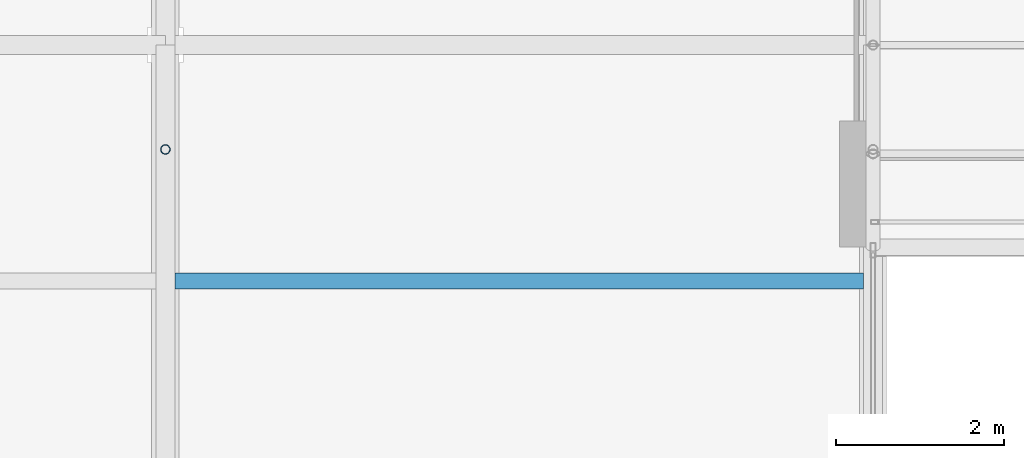
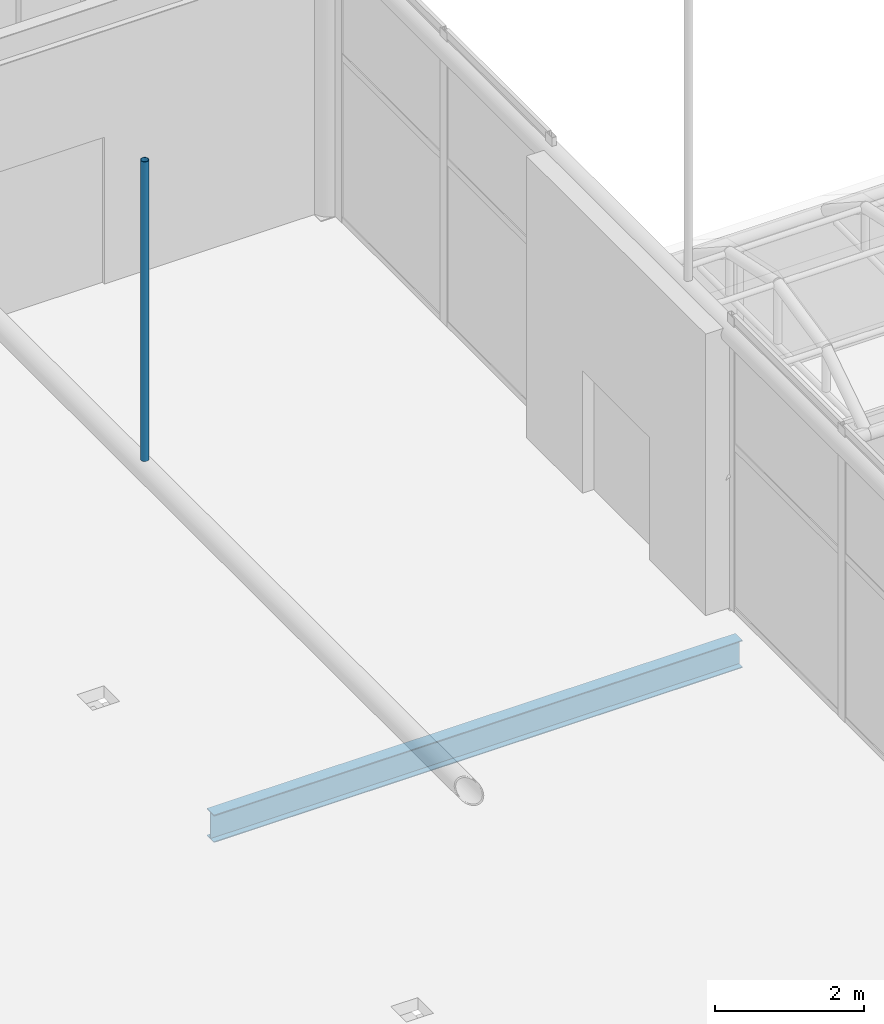
# One storey, part 89 of 167: 1 beam, 1 member.
"""IFC4 building model written with IfcOpenShell, lengths in metres."""

from ifc_helpers import new_model, si_unit, direction, frame, origin, origin_2d, place, context, subcontext, project, spatial, hollow_circle, i_section, extrude, material, material_profile, profile_set, type_object, element, save


model = new_model("IFC4")

# Units and contexts
model_context = context("Model", 3, precision=1e-05, world=origin(), true_north=direction((0.0, 1.0)))
body_context = subcontext(model_context, "Body", "Model", "MODEL_VIEW")
ifc_project = project(units=[si_unit("LENGTHUNIT", "METRE"), si_unit("AREAUNIT", "SQUARE_METRE"), si_unit("VOLUMEUNIT", "CUBIC_METRE"), si_unit("PLANEANGLEUNIT", "RADIAN"), si_unit("MASSUNIT", "GRAM", prefix="KILO")], contexts=[model_context])

# Site, building, storey
site_placement = place(None, origin())
site = spatial("IfcSite", under=ifc_project, at=site_placement, CompositionType="ELEMENT")
building_placement = place(site_placement, origin())
building = spatial("IfcBuilding", under=site, at=building_placement, Name="Catenary Quay Ferry Terminal", CompositionType="ELEMENT")
storey_placement = place(building_placement, frame((0.0, 0.0, 6.0)))
storey = spatial("IfcBuildingStorey", under=building, at=storey_placement, Name="L01", CompositionType="ELEMENT", Elevation=6.0)

# Beam
ifc_material_1 = material(Name="Steel S355", Category="steel")
ifc_material_profile_1 = material_profile(ifc_material_1, i_section(OverallWidth=0.18994140625, OverallDepth=0.449951171875, WebThickness=0.009521484375, FlangeThickness=0.0146484375, at=origin_2d()), Name="IPE 450")
ifc_profile_set_1 = profile_set([ifc_material_profile_1], Name="Steel S355")
beam_type = type_object("IfcBeamType", Name="B4 IPE 450", PredefinedType="BEAM", material=ifc_profile_set_1)
beam_placement = place(storey_placement, frame((84.114013671875, 89.60009765625, -0.425048828125), z_axis=(1.0, 0.0, 0.0), x_axis=(0.0, 1.0, 0.0)))
element("IfcBeam", 1, at=beam_placement, inside=storey, type_object=beam_type, Name="Beam B4-020", PredefinedType="BEAM", context=body_context, shape_type="SweptSolid", body=[
    extrude(i_section(OverallWidth=0.18994140625, OverallDepth=0.449951171875, WebThickness=0.009521484375, FlangeThickness=0.0146484375, at=origin_2d()), origin(), (0.0, 0.0, 1.0), 8.171875),
])

# Member
ifc_material_2 = material(Name="Steel S355", Category="steel")
ifc_material_profile_2 = material_profile(ifc_material_2, hollow_circle(Radius=0.05712890625, WallThickness=0.00634765625, at=origin_2d()), Name="CHS 114.3x6.3")
ifc_profile_set_2 = profile_set([ifc_material_profile_2], Name="Steel S355")
member_type = type_object("IfcMemberType", Name="HG1 CHS 114.3x6.3", PredefinedType="POST", material=ifc_profile_set_2)
member_placement = place(storey_placement, frame((84.0, 91.159912109375, 4.654052734375), z_axis=(0.0, 0.0, 1.0), x_axis=(1.0, 0.0, 0.0)))
element("IfcMember", 2, at=member_placement, inside=storey, type_object=member_type, Name="Hanger VA-08-07", PredefinedType="POST", context=body_context, shape_type="SweptSolid", body=[
    extrude(hollow_circle(Radius=0.05712890625, WallThickness=0.00634765625, at=origin_2d()), origin(), (0.0, 0.0, 1.0), 4.89599609375),
])

save(model, "model.ifc")
